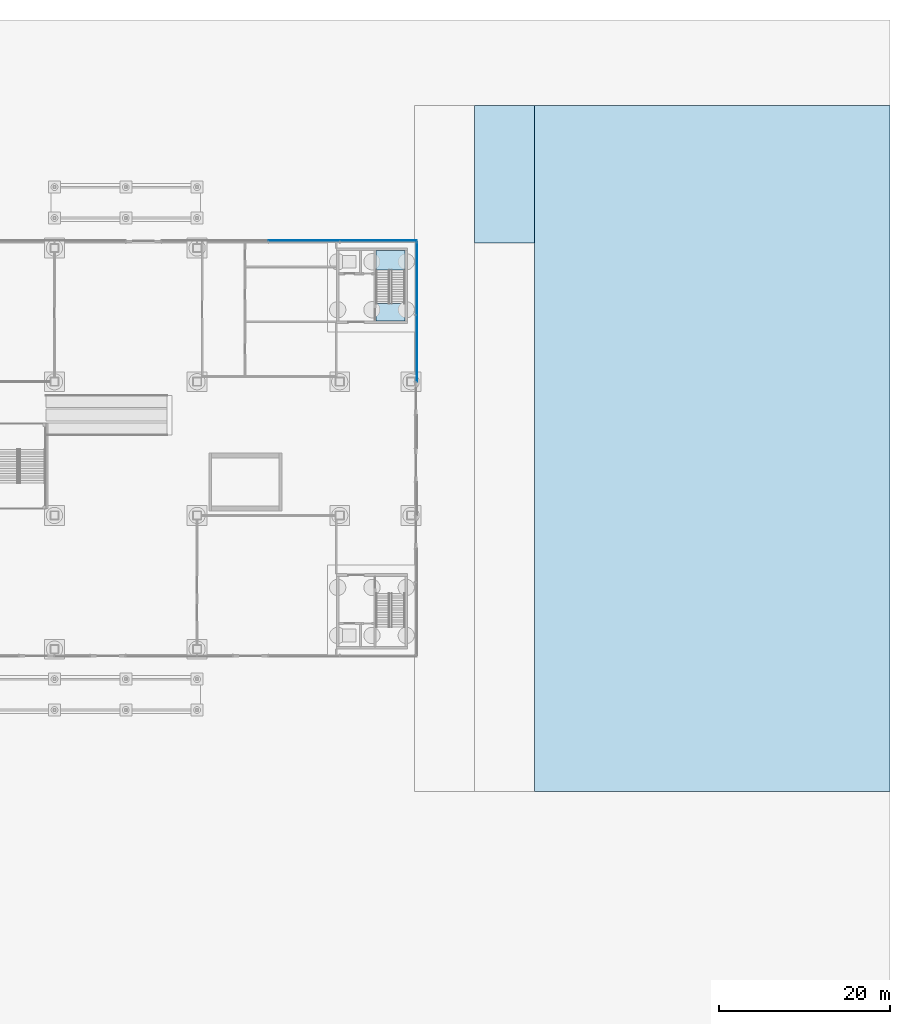
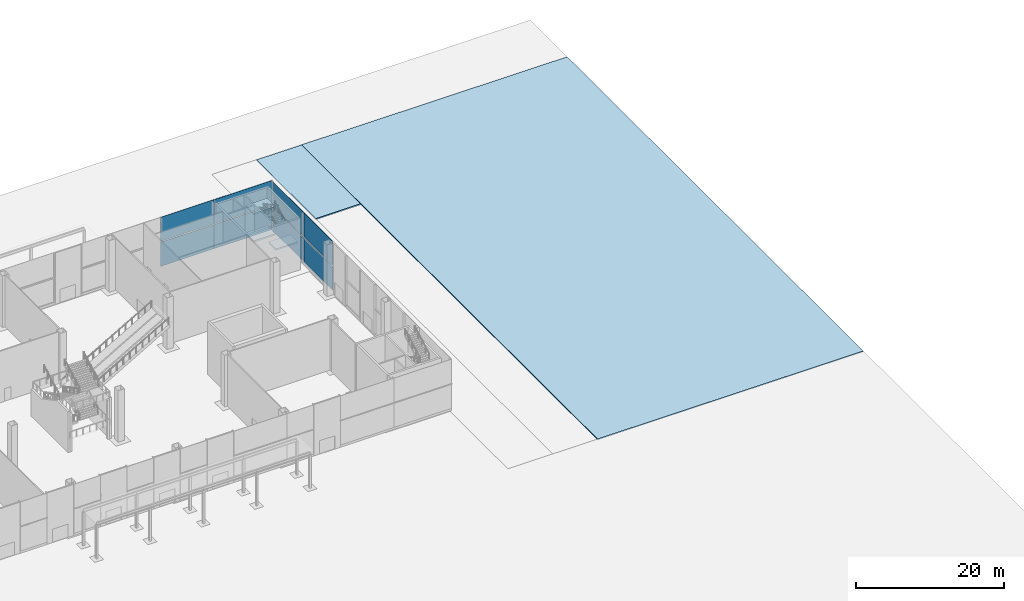
# One storey, part 34 of 113: 8 plates, 5 slabs, 3 elements without a shape of their own.
"""IFC4 building model written with IfcOpenShell, lengths in metres."""

import ifcopenshell
import ifcopenshell.guid

model = None  # the IFC model being written
_history = None  # IfcOwnerHistory: only IFC2X3 demands one
_inside = {}  # id of a spatial element -> (the spatial element, [elements in it])
_under = {}  # id of a project, library or spatial element -> (it, [spatial elements below it])
_declared = {}  # id of a project -> (the project, [libraries it declares])
_typed = {}  # id of a type object -> (the type object, [elements of that type])
_made_of = {}  # id of a material, layer set ... -> (it, [elements and type objects made of it])


def new_model(schema):
    """Start an empty IFC model of exactly this schema.

    Asked for "IFC4X3", IfcOpenShell would pick the latest addendum, in which some entities
    have other attributes; the version numbers below select the first issue.
    IFC2X3 requires an IfcOwnerHistory on every rooted entity: one is made here for all.
    """
    global model, _history
    if schema == "IFC4X3":
        model = ifcopenshell.file(schema_version=(4, 3, 0, 0))
    else:
        model = ifcopenshell.file(schema=schema)
    _inside.clear()
    _under.clear()
    _declared.clear()
    _typed.clear()
    _made_of.clear()
    _history = None
    if model.schema == "IFC2X3":
        org = make("IfcOrganization", Name="unknown")
        user = make(
            "IfcPersonAndOrganization",
            ThePerson=make("IfcPerson", FamilyName="unknown"),
            TheOrganization=org,
        )
        app = make(
            "IfcApplication",
            ApplicationDeveloper=org,
            Version="unknown",
            ApplicationFullName="unknown",
            ApplicationIdentifier="unknown",
        )
        _history = make(
            "IfcOwnerHistory",
            OwningUser=user,
            OwningApplication=app,
            ChangeAction="ADDED",
            CreationDate=0,
        )
    return model


def make(cls, **values):
    """One entity of the class cls with the attributes given. An attribute that is None is left unset."""
    return model.create_entity(
        cls, **{name: value for name, value in values.items() if value is not None}
    )


def rooted(cls, **values):
    """An entity with a GlobalId (a new one), such as an element, a storey or a relation."""
    return make(cls, GlobalId=ifcopenshell.guid.new(), OwnerHistory=_history, **values)


def si_unit(unit_type, name, prefix=None):
    """IfcSIUnit, for example si_unit("LENGTHUNIT", "METRE", prefix="MILLI")."""
    return make("IfcSIUnit", UnitType=unit_type, Prefix=prefix, Name=name)


def assignment(units):
    """IfcUnitAssignment: the units of a project."""
    return None if units is None else make("IfcUnitAssignment", Units=units)


def point(xyz):
    """IfcCartesianPoint."""
    return None if xyz is None else make("IfcCartesianPoint", Coordinates=xyz)


def direction(xyz):
    """IfcDirection."""
    return None if xyz is None else make("IfcDirection", DirectionRatios=xyz)


def frame(location, z_axis=None, x_axis=None):
    """IfcAxis2Placement3D, a coordinate frame: its origin and axes. An axis left out is left unset."""
    return make(
        "IfcAxis2Placement3D",
        Location=point(location),
        Axis=direction(z_axis),
        RefDirection=direction(x_axis),
    )


def frame_2d(location, x_axis=None):
    """IfcAxis2Placement2D, a coordinate frame in the plane: its origin and x axis."""
    return make(
        "IfcAxis2Placement2D", Location=point(location), RefDirection=direction(x_axis)
    )


def origin():
    """The frame at (0, 0, 0) with its axes left unset."""
    return frame((0.0, 0.0, 0.0))


def origin_2d():
    """The frame at (0, 0) in the plane with its x axis left unset."""
    return frame_2d((0.0, 0.0))


def place(relative_to, where):
    """IfcLocalPlacement: puts the frame where relative to a parent placement (None: the world)."""
    return make(
        "IfcLocalPlacement", PlacementRelTo=relative_to, RelativePlacement=where
    )


def context(
    kind, dimensions, precision=None, world=None, true_north=None, identifier=None
):
    """IfcGeometricRepresentationContext, for example the 3D "Model" context."""
    return make(
        "IfcGeometricRepresentationContext",
        ContextIdentifier=identifier,
        ContextType=kind,
        CoordinateSpaceDimension=dimensions,
        Precision=precision,
        WorldCoordinateSystem=world,
        TrueNorth=true_north,
    )


def subcontext(parent, identifier, kind, view, scale=None):
    """IfcGeometricRepresentationSubContext, for example "Body" below "Model"."""
    return make(
        "IfcGeometricRepresentationSubContext",
        ContextIdentifier=identifier,
        ContextType=kind,
        ParentContext=parent,
        TargetScale=scale,
        TargetView=view,
    )


def project(units=None, contexts=None):
    """IfcProject with its units and contexts."""
    return rooted(
        "IfcProject",
        Name="project",
        RepresentationContexts=contexts,
        UnitsInContext=assignment(units),
    )


def spatial(cls, under=None, at=None, **own):
    """A site, building, storey or space (cls), placed at a placement, below another one or the project."""
    s = rooted(cls, ObjectPlacement=at, **own)
    if under is not None:
        _under.setdefault(under.id(), (under, []))[1].append(s)
    return s


def polyline(points):
    """IfcPolyline through the points."""
    return make("IfcPolyline", Points=[point(p) for p in points])


def profile(cls, at=None, kind="AREA", **sizes):
    """A parametric profile (cls). Its sizes go by their IFC names, for example OverallWidth=200.0."""
    return make(cls, ProfileType=kind, Position=at, **sizes)


def rectangle(**sizes):
    """IfcRectangleProfileDef."""
    return profile("IfcRectangleProfileDef", **sizes)


def outline(outer, holes=None, kind="AREA"):
    """IfcArbitraryClosedProfileDef: a profile drawn as a closed curve; with holes, ...WithVoids."""
    if holes is None:
        return make("IfcArbitraryClosedProfileDef", ProfileType=kind, OuterCurve=outer)
    return make(
        "IfcArbitraryProfileDefWithVoids",
        ProfileType=kind,
        OuterCurve=outer,
        InnerCurves=holes,
    )


def extrude(swept, where, along, depth):
    """IfcExtrudedAreaSolid: the profile swept, set in the frame where, extruded along a direction by depth."""
    return make(
        "IfcExtrudedAreaSolid",
        SweptArea=swept,
        Position=where,
        ExtrudedDirection=direction(along),
        Depth=depth,
    )


def shape(context_of_items, identifier, shape_type, items):
    """IfcShapeRepresentation: the items that make up one representation, for example the "Body"."""
    return make(
        "IfcShapeRepresentation",
        ContextOfItems=context_of_items,
        RepresentationIdentifier=identifier,
        RepresentationType=shape_type,
        Items=items,
    )


def material(Name=None, Category=None):
    """IfcMaterial."""
    return make("IfcMaterial", Name=Name, Category=Category)


def layer(
    of_material, thickness, ventilated=None, Name=None, Category=None, Priority=None
):
    """IfcMaterialLayer: one layer of a wall or slab, of a material (None: an air gap)."""
    return make(
        "IfcMaterialLayer",
        Material=of_material,
        LayerThickness=thickness,
        IsVentilated=ventilated,
        Name=Name,
        Category=Category,
        Priority=Priority,
    )


def layer_set(layers, Name=None):
    """IfcMaterialLayerSet."""
    return make("IfcMaterialLayerSet", MaterialLayers=layers, LayerSetName=Name)


def made_of(thing, what):
    """Note that an element or type object is made of a material, layer set ...; save() writes the relation."""
    if what is not None:
        _made_of.setdefault(what.id(), (what, []))[1].append(thing)
    return thing


def type_object(cls, material=None, **own):
    """A type object (cls), such as IfcWallType, which elements share."""
    return made_of(rooted(cls, **own), material)


def element(
    cls,
    number,
    at=None,
    inside=None,
    cuts=None,
    type_object=None,
    material=None,
    context=None,
    identifier="Body",
    shape_type=None,
    held_by="IfcProductDefinitionShape",
    body=None,
    shapes=None,
    **own,
):
    """One element of the class cls, such as IfcWall. Its Tag is "e" and its number.

    at: its placement. inside: the storey or other place that contains it. cuts: it is an
    opening in that element (IfcRelVoidsElement). A single representation is given by context,
    identifier, shape_type and body (its items); several are given by shapes. held_by: the class
    of the entity that holds the representations. save() writes the other relations.
    """
    e = rooted(cls, Tag="e%d" % number, ObjectPlacement=at, **own)
    if body is not None:
        shapes = [shape(context, identifier, shape_type, body)]
    if shapes is not None:
        e.Representation = make(held_by, Representations=shapes)
    if inside is not None:
        _inside.setdefault(inside.id(), (inside, []))[1].append(e)
    if cuts is not None:
        rooted(
            "IfcRelVoidsElement", RelatingBuildingElement=cuts, RelatedOpeningElement=e
        )
    if type_object is not None:
        _typed.setdefault(type_object.id(), (type_object, []))[1].append(e)
    return made_of(e, material)


def aggregate(whole, parts):
    """IfcRelAggregates: a whole, such as a stair, and the parts it consists of."""
    return rooted("IfcRelAggregates", RelatingObject=whole, RelatedObjects=parts)


def save(model, path):
    """Write the relations noted so far, then the file.

    IfcRelAggregates (storeys below a building ...), IfcRelContainedInSpatialStructure (elements
    in a storey), IfcRelDefinesByType, IfcRelAssociatesMaterial and IfcRelDeclares: one each for
    every whole, place, type object, material and project.
    """
    for whole, parts in _under.values():
        aggregate(whole, parts)
    for where, things in _inside.values():
        rooted(
            "IfcRelContainedInSpatialStructure",
            RelatedElements=things,
            RelatingStructure=where,
        )
    for kind, things in _typed.values():
        rooted("IfcRelDefinesByType", RelatedObjects=things, RelatingType=kind)
    for what, things in _made_of.values():
        rooted("IfcRelAssociatesMaterial", RelatedObjects=things, RelatingMaterial=what)
    for by, libraries in _declared.values():
        rooted("IfcRelDeclares", RelatingContext=by, RelatedDefinitions=libraries)
    model.write(path)


model = new_model("IFC4")

# Units and contexts
model_context = context("Model", 3, precision=1e-05, world=origin(), true_north=direction((0.0, 1.0)))
body_context = subcontext(model_context, "Body", "Model", "MODEL_VIEW")
ifc_project = project(units=[si_unit("LENGTHUNIT", "METRE"), si_unit("AREAUNIT", "SQUARE_METRE"), si_unit("VOLUMEUNIT", "CUBIC_METRE"), si_unit("PLANEANGLEUNIT", "RADIAN"), si_unit("MASSUNIT", "GRAM", prefix="KILO")], contexts=[model_context])

# Site, building, storey
site_placement = place(None, origin())
site = spatial("IfcSite", under=ifc_project, at=site_placement, CompositionType="ELEMENT")
building_placement = place(site_placement, origin())
building = spatial("IfcBuilding", under=site, at=building_placement, Name="Hakoniwa Tower and Hamabe Station Hall", CompositionType="ELEMENT")
storey_placement = place(building_placement, origin())
storey = spatial("IfcBuildingStorey", under=building, at=storey_placement, Name="L01", CompositionType="ELEMENT", Elevation=0.0)

# Curtain wall, plates
ifc_material_1 = material(Name="Dark low-e laminated glass", Category="glass")
ifc_layer_1 = layer(ifc_material_1, 0.199951171875)
ifc_layer_set_1 = layer_set([ifc_layer_1], Name="CW-7 STATION")
curtain_wall_type = type_object("IfcCurtainWallType", Name="CW-7 STATION", PredefinedType="NOTDEFINED", material=ifc_layer_set_1)
curtain_wall_1_placement = place(storey_placement, origin())
curtain_wall_1 = element("IfcCurtainWall", 1, at=curtain_wall_1_placement, inside=storey, type_object=curtain_wall_type, Name="Station curtain wall L01 east", PredefinedType="NOTDEFINED")
ifc_material_2 = material(Name="Dark low-e laminated glass", Category="glass")
ifc_layer_2 = layer(ifc_material_2, 0.0400390625)
ifc_layer_set_2 = layer_set([ifc_layer_2], Name="CW-7 STATION GLASS UNIT")
plate_type = type_object("IfcPlateType", Name="CW-7 STATION GLASS UNIT", PredefinedType="CURTAIN_PANEL", material=ifc_layer_set_2)
plate_1_placement = place(storey_placement, frame((169.8359375, 11.699951171875, 0.35009765625), z_axis=(0.0, 0.0, 1.0), x_axis=(0.0, 1.0, 0.0)))
plate_1 = element("IfcPlate", 2, at=plate_1_placement, type_object=plate_type, Name="CW-7 glass unit", PredefinedType="CURTAIN_PANEL", context=body_context, shape_type="SweptSolid", body=[
    extrude(rectangle(XDim=7.780029296875, YDim=0.0400390625, at=origin_2d()), origin(), (0.0, 0.0, 1.0), 3.989990234375),
])
plate_2_placement = place(storey_placement, frame((169.8359375, 11.699951171875, 4.4599609375), z_axis=(0.0, 0.0, 1.0), x_axis=(0.0, 1.0, 0.0)))
plate_2 = element("IfcPlate", 3, at=plate_2_placement, type_object=plate_type, Name="CW-7 glass unit", PredefinedType="CURTAIN_PANEL", context=body_context, shape_type="SweptSolid", body=[
    extrude(rectangle(XDim=7.780029296875, YDim=0.0400390625, at=origin_2d()), origin(), (0.0, 0.0, 1.0), 3.989990234375),
])
plate_3_placement = place(storey_placement, frame((169.8359375, 19.85009765625, 0.35009765625), z_axis=(0.0, 0.0, 1.0), x_axis=(0.0, 1.0, 0.0)))
plate_3 = element("IfcPlate", 4, at=plate_3_placement, type_object=plate_type, Name="CW-7 glass unit", PredefinedType="CURTAIN_PANEL", context=body_context, shape_type="SweptSolid", body=[
    extrude(rectangle(XDim=8.47998046875, YDim=0.0400390625, at=origin_2d()), origin(), (0.0, 0.0, 1.0), 3.989990234375),
])
plate_4_placement = place(storey_placement, frame((169.8359375, 19.85009765625, 4.4599609375), z_axis=(0.0, 0.0, 1.0), x_axis=(0.0, 1.0, 0.0)))
plate_4 = element("IfcPlate", 5, at=plate_4_placement, type_object=plate_type, Name="CW-7 glass unit", PredefinedType="CURTAIN_PANEL", context=body_context, shape_type="SweptSolid", body=[
    extrude(rectangle(XDim=8.47998046875, YDim=0.0400390625, at=origin_2d()), origin(), (0.0, 0.0, 1.0), 3.989990234375),
])
aggregate(curtain_wall_1, [plate_1, plate_2, plate_3, plate_4])

curtain_wall_2_placement = place(storey_placement, origin())
curtain_wall_2 = element("IfcCurtainWall", 6, at=curtain_wall_2_placement, inside=storey, type_object=curtain_wall_type, Name="Station curtain wall L01 north", PredefinedType="NOTDEFINED")
plate_5_placement = place(storey_placement, frame((165.340087890625, 24.285888671875, 0.35009765625), z_axis=(0.0, 0.0, 1.0), x_axis=(-1.0, 0.0, 0.0)))
plate_5 = element("IfcPlate", 7, at=plate_5_placement, type_object=plate_type, Name="CW-7 glass unit", PredefinedType="CURTAIN_PANEL", context=body_context, shape_type="SweptSolid", body=[
    extrude(rectangle(XDim=9.0, YDim=0.0400390625, at=origin_2d()), origin(), (0.0, 0.0, 1.0), 3.989990234375),
])
plate_6_placement = place(storey_placement, frame((165.340087890625, 24.285888671875, 4.4599609375), z_axis=(0.0, 0.0, 1.0), x_axis=(-1.0, 0.0, 0.0)))
plate_6 = element("IfcPlate", 8, at=plate_6_placement, type_object=plate_type, Name="CW-7 glass unit", PredefinedType="CURTAIN_PANEL", context=body_context, shape_type="SweptSolid", body=[
    extrude(rectangle(XDim=9.0, YDim=0.0400390625, at=origin_2d()), origin(), (0.0, 0.0, 1.0), 3.989990234375),
])
plate_7_placement = place(storey_placement, frame((156.669921875, 24.285888671875, 0.35009765625), z_axis=(0.0, 0.0, 1.0), x_axis=(-1.0, 0.0, 0.0)))
plate_7 = element("IfcPlate", 9, at=plate_7_placement, type_object=plate_type, Name="CW-7 glass unit", PredefinedType="CURTAIN_PANEL", context=body_context, shape_type="SweptSolid", body=[
    extrude(rectangle(XDim=8.300048828125, YDim=0.0400390625, at=origin_2d()), origin(), (0.0, 0.0, 1.0), 3.989990234375),
])
plate_8_placement = place(storey_placement, frame((156.669921875, 24.285888671875, 4.4599609375), z_axis=(0.0, 0.0, 1.0), x_axis=(-1.0, 0.0, 0.0)))
plate_8 = element("IfcPlate", 10, at=plate_8_placement, type_object=plate_type, Name="CW-7 glass unit", PredefinedType="CURTAIN_PANEL", context=body_context, shape_type="SweptSolid", body=[
    extrude(rectangle(XDim=8.300048828125, YDim=0.0400390625, at=origin_2d()), origin(), (0.0, 0.0, 1.0), 3.989990234375),
])
aggregate(curtain_wall_2, [plate_5, plate_6, plate_7, plate_8])

# Slabs
ifc_material_3 = material(Name="Granite paving slabs on concrete base", Category="masonry")
ifc_layer_3 = layer(ifc_material_3, 0.14990234375)
ifc_layer_set_3 = layer_set([ifc_layer_3], Name="SITE PLAZA PAVING 150")
slab_type_1 = type_object("IfcSlabType", Name="SITE PLAZA PAVING 150", PredefinedType="USERDEFINED", material=ifc_layer_set_3)
slab_1_placement = place(storey_placement, frame((0.0, 0.0, -0.14990234375)))
element("IfcSlab", 11, at=slab_1_placement, inside=storey, type_object=slab_type_1, Name="Station Plaza", ObjectType="PAVING", PredefinedType="USERDEFINED", context=body_context, shape_type="SweptSolid", body=[
    extrude(outline(polyline([(183.550048828125, 40.0), (183.550048828125, 24.0), (183.550048828125, -40.0), (225.0, -40.0), (225.0, 40.0), (183.550048828125, 40.0)])), origin(), (0.0, 0.0, 1.0), 0.14990234375),
])
ifc_material_4 = material(Name="Asphalt on crushed stone base", Category="masonry")
ifc_layer_4 = layer(ifc_material_4, 0.199951171875)
ifc_layer_set_4 = layer_set([ifc_layer_4], Name="SITE ROAD PAVING 200")
slab_type_2 = type_object("IfcSlabType", Name="SITE ROAD PAVING 200", PredefinedType="USERDEFINED", material=ifc_layer_set_4)
slab_2_placement = place(storey_placement, frame((0.0, 0.0, -0.219970703125)))
element("IfcSlab", 12, at=slab_2_placement, inside=storey, type_object=slab_type_2, Name="Station Taxi Lane", ObjectType="PAVING", PredefinedType="USERDEFINED", context=body_context, shape_type="SweptSolid", body=[
    extrude(outline(polyline([(183.550048828125, 40.0), (176.550048828125, 40.0), (176.550048828125, 24.0), (183.550048828125, 24.0), (183.550048828125, 40.0)])), origin(), (0.0, 0.0, 1.0), 0.199951171875),
])

# Stair, slabs
ifc_material_5 = material(Name="Concrete C40", Category="concrete")
stair_type = type_object("IfcStairType", Name="STAIR 1600 15X150", PredefinedType="HALF_TURN_STAIR", material=ifc_material_5)
stair_placement = place(storey_placement, origin())
stair = element("IfcStair", 13, at=stair_placement, inside=storey, type_object=stair_type, Name="Escape stair SS2 L01", PredefinedType="HALF_TURN_STAIR")
ifc_material_6 = material(Name="Concrete C40", Category="concrete")
ifc_layer_5 = layer(ifc_material_6, 0.25)
ifc_layer_set_5 = layer_set([ifc_layer_5], Name="STAIR LANDING 250")
slab_type_3 = type_object("IfcSlabType", Name="STAIR LANDING 250", PredefinedType="LANDING", material=ifc_layer_set_5)
slab_3_placement = place(storey_placement, frame((0.0, 0.0, 2.0)))
slab_3 = element("IfcSlab", 14, at=slab_3_placement, type_object=slab_type_3, Name="SS2 landing 1", PredefinedType="LANDING", context=body_context, shape_type="SweptSolid", body=[
    extrude(outline(polyline([(168.449951171875, 20.820068359375), (168.449951171875, 23.10009765625), (165.050048828125, 23.10009765625), (165.050048828125, 20.820068359375), (168.449951171875, 20.820068359375)])), origin(), (0.0, 0.0, 1.0), 0.25),
])
slab_4_placement = place(storey_placement, frame((0.0, 0.0, 4.25)))
slab_4 = element("IfcSlab", 15, at=slab_4_placement, type_object=slab_type_3, Name="SS2 landing 2", PredefinedType="LANDING", context=body_context, shape_type="SweptSolid", body=[
    extrude(outline(polyline([(168.449951171875, 14.89990234375), (168.449951171875, 16.89990234375), (165.050048828125, 16.89990234375), (165.050048828125, 14.89990234375), (168.449951171875, 14.89990234375)])), origin(), (0.0, 0.0, 1.0), 0.25),
])
slab_5_placement = place(storey_placement, frame((0.0, 0.0, 6.5)))
slab_5 = element("IfcSlab", 16, at=slab_5_placement, type_object=slab_type_3, Name="SS2 landing 3", PredefinedType="LANDING", context=body_context, shape_type="SweptSolid", body=[
    extrude(outline(polyline([(168.449951171875, 20.820068359375), (168.449951171875, 23.10009765625), (165.050048828125, 23.10009765625), (165.050048828125, 20.820068359375), (168.449951171875, 20.820068359375)])), origin(), (0.0, 0.0, 1.0), 0.25),
])
aggregate(stair, [slab_3, slab_4, slab_5])

save(model, "model.ifc")
